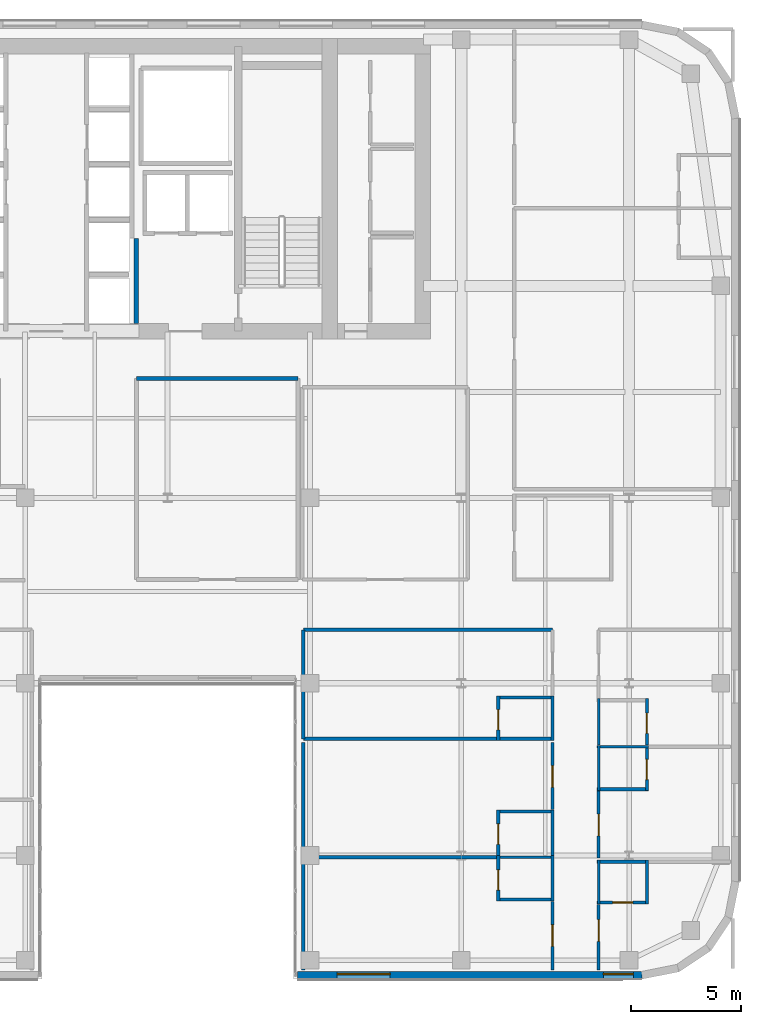
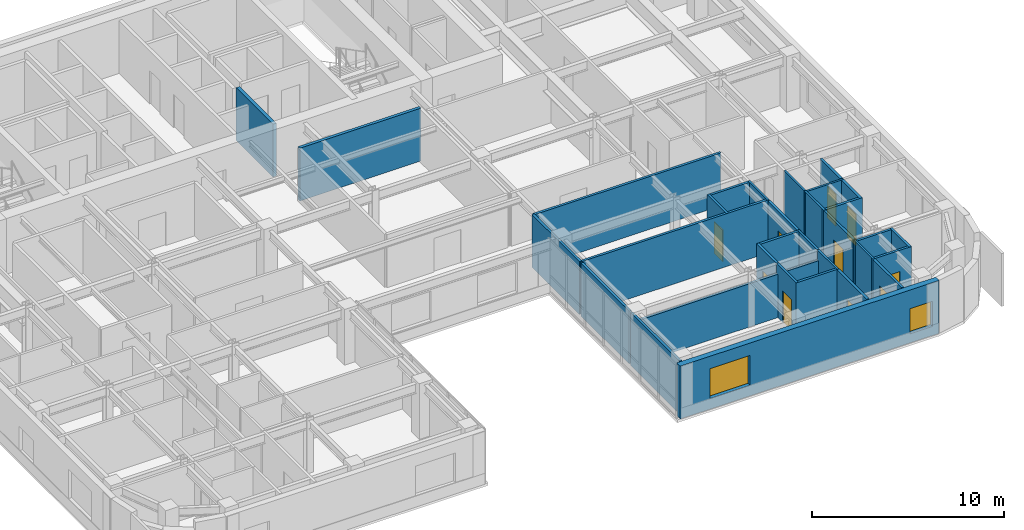
# One storey, part 11 of 20: 33 walls, 10 doors, 2 windows, 12 openings.
"""IFC4 building model written with IfcOpenShell, lengths in metres."""

from ifc_helpers import new_model, si_unit, direction, frame, frame_2d, origin, place, context, subcontext, project, spatial, rectangle, extrude, source, transform, mapped, material, layer, layer_set, type_object, type_shapes, element, fill, save


model = new_model("IFC4")

# Units and contexts
model_context = context("Model", 3, precision=1e-05, world=origin(), true_north=direction((0.0, 1.0)))
body_context = subcontext(model_context, "Body", "Model", "MODEL_VIEW")
ifc_project = project(units=[si_unit("LENGTHUNIT", "METRE"), si_unit("AREAUNIT", "SQUARE_METRE"), si_unit("VOLUMEUNIT", "CUBIC_METRE"), si_unit("PLANEANGLEUNIT", "RADIAN"), si_unit("MASSUNIT", "GRAM", prefix="KILO")], contexts=[model_context])

# Site, building, storey
site_placement = place(None, origin())
site = spatial("IfcSite", under=ifc_project, at=site_placement, CompositionType="ELEMENT")
building_placement = place(site_placement, origin())
building = spatial("IfcBuilding", under=site, at=building_placement, Name="Tolvann Quenvar Hotel", CompositionType="ELEMENT")
storey_placement = place(building_placement, frame((0.0, 0.0, 175.449951171875)))
storey = spatial("IfcBuildingStorey", under=building, at=storey_placement, Name="L46", CompositionType="ELEMENT", Elevation=175.449951171875)

# Wall, openings, windows
ifc_material_1 = material(Name="Kiln-fired red and buff architectural clay brickwork and terracotta masonry", Category="masonry")
ifc_layer_1 = layer(ifc_material_1, 0.35009765625)
ifc_layer_set_1 = layer_set([ifc_layer_1], Name="Kiln-fired red and buff architectural clay brickwork and terracotta masonry")
wall_type_1 = type_object("IfcWallType", Name="WALL_EXT_BRICK_350", PredefinedType="SOLIDWALL", material=ifc_layer_set_1)
wall_1_placement = place(storey_placement, frame((34.375, 2.77490234375, 0.0), z_axis=(0.0, 0.0, 1.0), x_axis=(1.0, 0.0, 0.0)))
wall_1 = element("IfcWall", 1, at=wall_1_placement, inside=storey, type_object=wall_type_1, Name="Exterior Chicago Brick Wall L46-E08", PredefinedType="SOLIDWALL", context=body_context, shape_type="SweptSolid", body=[
    extrude(rectangle(XDim=15.60791015625, YDim=0.35009765625, at=frame_2d((7.803955078125, 0.0))), origin(), (0.0, 0.0, 1.0), 3.3701171875),
])
opening_1_placement = place(wall_1_placement, frame((1.801025390625, 0.0, 0.679931640625)))
opening_1 = element("IfcOpeningElement", 2, at=opening_1_placement, cuts=wall_1, Name="Opening W-01", PredefinedType="OPENING", context=body_context, shape_type="SweptSolid", body=[
    extrude(rectangle(XDim=2.39990234375, YDim=1.89990234375, at=frame_2d((1.199951171875, 0.949951171875))), frame((0.0, 0.18505859375, 0.0), z_axis=(0.0, -1.0, 0.0), x_axis=(1.0, 0.0, 0.0)), (0.0, 0.0, 1.0), 0.3701171875),
])
opening_2_placement = place(wall_1_placement, frame((13.865966796875, 0.0, 0.580078125)))
opening_2 = element("IfcOpeningElement", 3, at=opening_2_placement, cuts=wall_1, Name="Opening W-11", PredefinedType="OPENING", context=body_context, shape_type="SweptSolid", body=[
    extrude(rectangle(XDim=1.35009765625, YDim=1.60009765625, at=frame_2d((0.675048828125, 0.800048828125))), frame((0.0, 0.18505859375, 0.0), z_axis=(0.0, -1.0, 0.0), x_axis=(1.0, 0.0, 0.0)), (0.0, 0.0, 1.0), 0.3701171875),
])
ifc_material_2 = material(Name="Thermally broken bronze-anodised aluminium frame with double low-E glazing", Category="aluminium")
window_type_1 = type_object("IfcWindowType", Name="WIN_CHI_2400x2050", PartitioningType="TRIPLE_PANEL_HORIZONTAL", PredefinedType="WINDOW", material=ifc_material_2)
shared_shape_1 = source(origin(), body_context, "Body", "SweptSolid", [
    extrude(rectangle(XDim=2.39990234375, YDim=1.89990234375, at=frame_2d((1.199951171875, 0.949951171875))), frame((0.0, 0.090087890625, 0.0), z_axis=(0.0, -1.0, 0.0), x_axis=(1.0, 0.0, 0.0)), (0.0, 0.0, 1.0), 0.06005859375),
])
type_shapes(window_type_1, [shared_shape_1])
window_1_placement = place(opening_1_placement, origin())
window_1 = element("IfcWindow", 4, at=window_1_placement, inside=storey, type_object=window_type_1, Name="Chicago Window W-01 (EW-L46-E08-W01)", OverallHeight=1.89990234375, OverallWidth=2.39990234375, PartitioningType="TRIPLE_PANEL_HORIZONTAL", PredefinedType="WINDOW", context=body_context, shape_type="MappedRepresentation", body=[
    mapped(shared_shape_1, transform((0.0, 0.0, 0.0), x_axis=(1.0, 0.0, 0.0), y_axis=(0.0, 1.0, 0.0), z_axis=(0.0, 0.0, 1.0), scale=1.0)),
])
fill(opening_1, window_1)
window_type_2 = type_object("IfcWindowType", Name="WIN_ACC_1350x1650", PartitioningType="SINGLE_PANEL", PredefinedType="WINDOW", material=ifc_material_2)
shared_shape_2 = source(origin(), body_context, "Body", "SweptSolid", [
    extrude(rectangle(XDim=1.35009765625, YDim=1.60009765625, at=frame_2d((0.675048828125, 0.800048828125))), frame((0.0, 0.090087890625, 0.0), z_axis=(0.0, -1.0, 0.0), x_axis=(1.0, 0.0, 0.0)), (0.0, 0.0, 1.0), 0.06005859375),
])
type_shapes(window_type_2, [shared_shape_2])
window_2_placement = place(opening_2_placement, origin())
window_2 = element("IfcWindow", 5, at=window_2_placement, inside=storey, type_object=window_type_2, Name="Chicago Window W-11 (EW-L46-E08-WD02)", OverallHeight=1.60009765625, OverallWidth=1.35009765625, PartitioningType="SINGLE_PANEL", PredefinedType="WINDOW", context=body_context, shape_type="MappedRepresentation", body=[
    mapped(shared_shape_2, transform((0.0, 0.0, 0.0), x_axis=(1.0, 0.0, 0.0), y_axis=(0.0, 1.0, 0.0), z_axis=(0.0, 0.0, 1.0), scale=1.0)),
])
fill(opening_2, window_2)

# Walls
ifc_material_3 = material(Name="Acoustic twin-stud fire-rated gypsum plasterboard partition")
ifc_layer_2 = layer(ifc_material_3, 0.179931640625)
ifc_layer_set_2 = layer_set([ifc_layer_2], Name="Acoustic twin-stud fire-rated gypsum plasterboard partition")
wall_type_2 = type_object("IfcWallType", Name="WALL_PART_ACOUSTIC_180", PredefinedType="PARTITIONING", material=ifc_layer_set_2)
wall_2_placement = place(storey_placement, frame((27.10009765625, 29.800048828125, 0.0), z_axis=(0.0, 0.0, 1.0), x_axis=(1.0, 0.0, 0.0)))
element("IfcWall", 6, at=wall_2_placement, inside=storey, type_object=wall_type_2, Name="Interior Partition PT-SPC-L46-MSP-C-N", PredefinedType="PARTITIONING", context=body_context, shape_type="SweptSolid", body=[
    extrude(rectangle(XDim=7.2998046875, YDim=0.179931640625, at=frame_2d((3.64990234375, 0.0))), origin(), (0.0, 0.0, 1.0), 3.3701171875),
])
ifc_material_4 = material(Name="Moisture-resistant acoustic plumbing wall assembly")
ifc_layer_3 = layer(ifc_material_4, 0.1201171875)
ifc_layer_set_3 = layer_set([ifc_layer_3], Name="Moisture-resistant acoustic plumbing wall assembly")
wall_type_3 = type_object("IfcWallType", Name="WALL_PART_BATH_120", PredefinedType="PLUMBINGWALL", material=ifc_layer_set_3)
wall_3_placement = place(storey_placement, frame((43.409912109375, 8.1201171875, 0.0), z_axis=(0.0, 0.0, 1.0), x_axis=(1.0, 0.0, 0.0)))
element("IfcWall", 7, at=wall_3_placement, inside=storey, type_object=wall_type_3, Name="Non-Rated Plumbing Partition PT-SPC-L46-ENS-EI01-N", PredefinedType="PLUMBINGWALL", context=body_context, shape_type="SweptSolid", body=[
    extrude(rectangle(XDim=2.590087890625, YDim=0.1201171875, at=frame_2d((1.294921875, 0.0))), origin(), (0.0, 0.0, 1.0), 2.758056640625),
])
for number, where, z_axis, x_axis, name in (
    (8, (45.929931640625, 6.135009765625, 0.0), (0.0, 0.0, 1.0), (0.0, 1.0, 0.0), "Non-Rated Plumbing Partition PT-SPC-L46-ENS-EI01-E"),
    (9, (45.929931640625, 8.2099609375, 0.0), (0.0, 0.0, 1.0), (0.0, 1.0, 0.0), "Non-Rated Plumbing Partition PT-SPC-L46-ENS-EI02-E"),
):
    element("IfcWall", number, at=place(storey_placement, frame(where, z_axis=z_axis, x_axis=x_axis)), inside=storey, type_object=wall_type_3, Name=name, PredefinedType="PLUMBINGWALL", context=body_context, shape_type="SweptSolid", body=[
        extrude(rectangle(XDim=2.054931640625, YDim=0.1201171875, at=frame_2d((1.02734375, 0.0))), origin(), (0.0, 0.0, 1.0), 3.3701171875),
    ])
wall_4_placement = place(storey_placement, frame((45.929931640625, 13.409912109375, 0.0), z_axis=(0.0, 0.0, 1.0), x_axis=(0.0, 1.0, 0.0)))
element("IfcWall", 10, at=wall_4_placement, inside=storey, type_object=wall_type_3, Name="Non-Rated Plumbing Partition PT-SPC-L46-ENS-EI03-E", PredefinedType="PLUMBINGWALL", context=body_context, shape_type="SweptSolid", body=[
    extrude(rectangle(XDim=2.01708984375, YDim=0.1201171875, at=frame_2d((1.008544921875, 0.0))), origin(), (0.0, 0.0, 1.0), 3.3701171875),
])
wall_5_placement = place(storey_placement, frame((48.02001953125, 6.0, 0.0), z_axis=(0.0, 0.0, 1.0), x_axis=(0.0, 1.0, 0.0)))
element("IfcWall", 11, at=wall_5_placement, inside=storey, type_object=wall_type_3, Name="Non-Rated Plumbing Partition PT-SPC-L46-ENS-EO01-W", PredefinedType="PLUMBINGWALL", context=body_context, shape_type="SweptSolid", body=[
    extrude(rectangle(XDim=1.989990234375, YDim=0.1201171875, at=frame_2d((0.9951171875, 0.0))), origin(), (0.0, 0.0, 1.0), 3.3701171875),
])
wall_6_placement = place(storey_placement, frame((47.949951171875, 13.1201171875, 0.0), z_axis=(0.0, 0.0, 1.0), x_axis=(1.0, 0.0, 0.0)))
element("IfcWall", 12, at=wall_6_placement, inside=storey, type_object=wall_type_3, Name="Non-Rated Plumbing Partition PT-SPC-L46-ENS-EO02-N", PredefinedType="PLUMBINGWALL", context=body_context, shape_type="SweptSolid", body=[
    extrude(rectangle(XDim=2.3291015625, YDim=0.1201171875, at=frame_2d((1.16455078125, 0.0))), origin(), (0.0, 0.0, 1.0), 3.3701171875),
])
wall_7_placement = place(storey_placement, frame((48.02001953125, 11.135009765625, 0.0), z_axis=(0.0, 0.0, 1.0), x_axis=(0.0, 1.0, 0.0)))
element("IfcWall", 13, at=wall_7_placement, inside=storey, type_object=wall_type_3, Name="Non-Rated Plumbing Partition PT-SPC-L46-ENS-EO02-W", PredefinedType="PLUMBINGWALL", context=body_context, shape_type="SweptSolid", body=[
    extrude(rectangle(XDim=2.054931640625, YDim=0.1201171875, at=frame_2d((1.02734375, 0.0))), origin(), (0.0, 0.0, 1.0), 3.3701171875),
])
wall_8_placement = place(storey_placement, frame((48.02001953125, 13.2099609375, 0.0), z_axis=(0.0, 0.0, 1.0), x_axis=(0.0, 1.0, 0.0)))
element("IfcWall", 14, at=wall_8_placement, inside=storey, type_object=wall_type_3, Name="Non-Rated Plumbing Partition PT-SPC-L46-ENS-EO03-W", PredefinedType="PLUMBINGWALL", context=body_context, shape_type="SweptSolid", body=[
    extrude(rectangle(XDim=2.093017578125, YDim=0.1201171875, at=frame_2d((1.04638671875, 0.0))), origin(), (0.0, 0.0, 1.0), 3.3701171875),
])

# Wall, opening, door
ifc_layer_4 = layer(ifc_material_3, 0.14990234375)
ifc_layer_set_4 = layer_set([ifc_layer_4], Name="Acoustic twin-stud fire-rated gypsum plasterboard partition")
wall_type_4 = type_object("IfcWallType", Name="WALL_PART_SUITE_150", PredefinedType="PARTITIONING", material=ifc_layer_set_4)
wall_9_placement = place(storey_placement, frame((43.47998046875, 6.135009765625, 0.0), z_axis=(0.0, 0.0, 1.0), x_axis=(0.0, 1.0, 0.0)))
wall_9 = element("IfcWall", 15, at=wall_9_placement, inside=storey, type_object=wall_type_4, Name="Interior Partition PT-SPC-L46-ENS-EI01-ENT", PredefinedType="PARTITIONING", context=body_context, shape_type="SweptSolid", body=[
    extrude(rectangle(XDim=2.054931640625, YDim=0.14990234375, at=frame_2d((1.02734375, 0.0))), origin(), (0.0, 0.0, 1.0), 3.3701171875),
])
opening_3_placement = place(wall_9_placement, frame((0.49755859375, 0.0, 0.0)))
opening_3 = element("IfcOpeningElement", 16, at=opening_3_placement, cuts=wall_9, Name="Opening WD-01", PredefinedType="OPENING", context=body_context, shape_type="SweptSolid", body=[
    extrude(rectangle(XDim=0.919921875, YDim=2.010009765625, at=frame_2d((0.4599609375, 1.0048828125))), frame((0.0, 0.0849609375, 0.0), z_axis=(0.0, -1.0, 0.0), x_axis=(1.0, 0.0, 0.0)), (0.0, 0.0, 1.0), 0.169921875),
])
ifc_material_5 = material(Name="Solid-core American oak acoustic fire door leaf in steel frame", Category="steel")
door_type_1 = type_object("IfcDoorType", Name="DOOR_WC_920", OperationType="NOTDEFINED", PredefinedType="DOOR", material=ifc_material_5)
shared_shape_3 = source(origin(), body_context, "Body", "SweptSolid", [
    extrude(rectangle(XDim=0.919921875, YDim=2.010009765625, at=frame_2d((0.4599609375, 1.0048828125))), frame((0.0, 0.02490234375, 0.0), z_axis=(0.0, -1.0, 0.0), x_axis=(1.0, 0.0, 0.0)), (0.0, 0.0, 1.0), 0.050048828125),
])
type_shapes(door_type_1, [shared_shape_3])
door_1_placement = place(opening_3_placement, origin())
door_1 = element("IfcDoor", 17, at=door_1_placement, inside=storey, type_object=door_type_1, Name="Interior Door DOOR-SPC-L46-ENS-EI01", OperationType="SINGLE_SWING_RIGHT", OverallHeight=2.010009765625, OverallWidth=0.919921875, PredefinedType="DOOR", context=body_context, shape_type="MappedRepresentation", body=[
    mapped(shared_shape_3, transform((0.0, 0.0, 0.0), x_axis=(1.0, 0.0, 0.0), y_axis=(0.0, 1.0, 0.0), z_axis=(0.0, 0.0, 1.0), scale=1.0)),
])
fill(opening_3, door_1)

# Wall
wall_10_placement = place(storey_placement, frame((43.409912109375, 6.205078125, 0.0), z_axis=(0.0, 0.0, 1.0), x_axis=(1.0, 0.0, 0.0)))
element("IfcWall", 18, at=wall_10_placement, inside=storey, type_object=wall_type_4, Name="Interior Partition PT-SPC-L46-ENS-EI01-S", PredefinedType="PARTITIONING", context=body_context, shape_type="SweptSolid", body=[
    extrude(rectangle(XDim=2.590087890625, YDim=0.14990234375, at=frame_2d((1.294921875, 0.0))), origin(), (0.0, 0.0, 1.0), 3.3701171875),
])

# Wall, opening, door
wall_11_placement = place(storey_placement, frame((43.47998046875, 8.2099609375, 0.0), z_axis=(0.0, 0.0, 1.0), x_axis=(0.0, 1.0, 0.0)))
wall_11 = element("IfcWall", 19, at=wall_11_placement, inside=storey, type_object=wall_type_4, Name="Interior Partition PT-SPC-L46-ENS-EI02-ENT", PredefinedType="PARTITIONING", context=body_context, shape_type="SweptSolid", body=[
    extrude(rectangle(XDim=2.054931640625, YDim=0.14990234375, at=frame_2d((1.02734375, 0.0))), origin(), (0.0, 0.0, 1.0), 3.3701171875),
])
opening_4_placement = place(wall_11_placement, frame((0.49755859375, 0.0, 0.0)))
opening_4 = element("IfcOpeningElement", 20, at=opening_4_placement, cuts=wall_11, Name="Opening WD-01", PredefinedType="OPENING", context=body_context, shape_type="SweptSolid", body=[
    extrude(rectangle(XDim=0.919921875, YDim=2.010009765625, at=frame_2d((0.4599609375, 1.0048828125))), frame((0.0, 0.0849609375, 0.0), z_axis=(0.0, -1.0, 0.0), x_axis=(1.0, 0.0, 0.0)), (0.0, 0.0, 1.0), 0.169921875),
])
door_2_placement = place(opening_4_placement, origin())
door_2 = element("IfcDoor", 21, at=door_2_placement, inside=storey, type_object=door_type_1, Name="Interior Door DOOR-SPC-L46-ENS-EI02", OperationType="SINGLE_SWING_LEFT", OverallHeight=2.010009765625, OverallWidth=0.919921875, PredefinedType="DOOR", context=body_context, shape_type="MappedRepresentation", body=[
    mapped(shared_shape_3, transform((0.0, 0.0, 0.0), x_axis=(1.0, 0.0, 0.0), y_axis=(0.0, 1.0, 0.0), z_axis=(0.0, 0.0, 1.0), scale=1.0)),
])
fill(opening_4, door_2)

# Wall
wall_12_placement = place(storey_placement, frame((43.409912109375, 10.195068359375, 0.0), z_axis=(0.0, 0.0, 1.0), x_axis=(1.0, 0.0, 0.0)))
element("IfcWall", 22, at=wall_12_placement, inside=storey, type_object=wall_type_4, Name="Interior Partition PT-SPC-L46-ENS-EI02-N", PredefinedType="PARTITIONING", context=body_context, shape_type="SweptSolid", body=[
    extrude(rectangle(XDim=2.590087890625, YDim=0.14990234375, at=frame_2d((1.294921875, 0.0))), origin(), (0.0, 0.0, 1.0), 3.3701171875),
])

# Wall, opening, door
wall_13_placement = place(storey_placement, frame((43.47998046875, 13.409912109375, 0.0), z_axis=(0.0, 0.0, 1.0), x_axis=(0.0, 1.0, 0.0)))
wall_13 = element("IfcWall", 23, at=wall_13_placement, inside=storey, type_object=wall_type_4, Name="Interior Partition PT-SPC-L46-ENS-EI03-ENT", PredefinedType="PARTITIONING", context=body_context, shape_type="SweptSolid", body=[
    extrude(rectangle(XDim=2.01708984375, YDim=0.14990234375, at=frame_2d((1.008544921875, 0.0))), origin(), (0.0, 0.0, 1.0), 3.3701171875),
])
opening_5_placement = place(wall_13_placement, frame((0.478515625, 0.0, 0.0)))
opening_5 = element("IfcOpeningElement", 24, at=opening_5_placement, cuts=wall_13, Name="Opening WD-01", PredefinedType="OPENING", context=body_context, shape_type="SweptSolid", body=[
    extrude(rectangle(XDim=0.919921875, YDim=2.010009765625, at=frame_2d((0.4599609375, 1.0048828125))), frame((0.0, 0.0849609375, 0.0), z_axis=(0.0, -1.0, 0.0), x_axis=(1.0, 0.0, 0.0)), (0.0, 0.0, 1.0), 0.169921875),
])
door_3_placement = place(opening_5_placement, origin())
door_3 = element("IfcDoor", 25, at=door_3_placement, inside=storey, type_object=door_type_1, Name="Interior Door DOOR-SPC-L46-ENS-EI03", OperationType="SINGLE_SWING_RIGHT", OverallHeight=2.010009765625, OverallWidth=0.919921875, PredefinedType="DOOR", context=body_context, shape_type="MappedRepresentation", body=[
    mapped(shared_shape_3, transform((0.0, 0.0, 0.0), x_axis=(1.0, 0.0, 0.0), y_axis=(0.0, 1.0, 0.0), z_axis=(0.0, 0.0, 1.0), scale=1.0)),
])
fill(opening_5, door_3)

# Walls
wall_14_placement = place(storey_placement, frame((34.64990234375, 13.47998046875, 0.0), z_axis=(0.0, 0.0, 1.0), x_axis=(1.0, 0.0, 0.0)))
element("IfcWall", 26, at=wall_14_placement, inside=storey, type_object=wall_type_4, Name="Interior Partition PT-SPC-L46-ENS-EI03-S", PredefinedType="PARTITIONING", context=body_context, shape_type="SweptSolid", body=[
    extrude(rectangle(XDim=11.35009765625, YDim=0.14990234375, at=frame_2d((5.675048828125, 0.0))), origin(), (0.0, 0.0, 1.0), 3.3701171875),
])
wall_15_placement = place(storey_placement, frame((43.409912109375, 15.35693359375, 0.0), z_axis=(0.0, 0.0, 1.0), x_axis=(1.0, 0.0, 0.0)))
element("IfcWall", 27, at=wall_15_placement, inside=storey, type_object=wall_type_4, Name="Interior Partition PT-SPC-L46-ENS-EI03-N", PredefinedType="PARTITIONING", context=body_context, shape_type="SweptSolid", body=[
    extrude(rectangle(XDim=2.590087890625, YDim=0.14990234375, at=frame_2d((1.294921875, 0.0))), origin(), (0.0, 0.0, 1.0), 3.3701171875),
])
wall_16_placement = place(storey_placement, frame((50.208984375, 6.0, 0.0), z_axis=(0.0, 0.0, 1.0), x_axis=(0.0, 1.0, 0.0)))
element("IfcWall", 28, at=wall_16_placement, inside=storey, type_object=wall_type_4, Name="Interior Partition PT-SPC-L46-ENS-EO01-ENT", PredefinedType="PARTITIONING", context=body_context, shape_type="SweptSolid", body=[
    extrude(rectangle(XDim=1.989990234375, YDim=0.14990234375, at=frame_2d((0.9951171875, 0.0))), origin(), (0.0, 0.0, 1.0), 3.3701171875),
])

# Wall, opening, door
wall_17_placement = place(storey_placement, frame((47.949951171875, 6.070068359375, 0.0), z_axis=(0.0, 0.0, 1.0), x_axis=(1.0, 0.0, 0.0)))
wall_17 = element("IfcWall", 29, at=wall_17_placement, inside=storey, type_object=wall_type_4, Name="Interior Partition PT-SPC-L46-ENS-EO01-S", PredefinedType="PARTITIONING", context=body_context, shape_type="SweptSolid", body=[
    extrude(rectangle(XDim=2.3291015625, YDim=0.14990234375, at=frame_2d((1.16455078125, 0.0))), origin(), (0.0, 0.0, 1.0), 3.3701171875),
])
opening_6_placement = place(wall_17_placement, frame((0.70458984375, 0.0, 0.0)))
opening_6 = element("IfcOpeningElement", 30, at=opening_6_placement, cuts=wall_17, Name="Opening WD-01", PredefinedType="OPENING", context=body_context, shape_type="SweptSolid", body=[
    extrude(rectangle(XDim=0.919921875, YDim=2.010009765625, at=frame_2d((0.4599609375, 1.0048828125))), frame((0.0, 0.0849609375, 0.0), z_axis=(0.0, -1.0, 0.0), x_axis=(1.0, 0.0, 0.0)), (0.0, 0.0, 1.0), 0.169921875),
])
door_4_placement = place(opening_6_placement, origin())
door_4 = element("IfcDoor", 31, at=door_4_placement, inside=storey, type_object=door_type_1, Name="Interior Door DOOR-SPC-L46-ENS-EO01", OperationType="SINGLE_SWING_LEFT", OverallHeight=2.010009765625, OverallWidth=0.919921875, PredefinedType="DOOR", context=body_context, shape_type="MappedRepresentation", body=[
    mapped(shared_shape_3, transform((0.0, 0.0, 0.0), x_axis=(1.0, 0.0, 0.0), y_axis=(0.0, 1.0, 0.0), z_axis=(0.0, 0.0, 1.0), scale=1.0)),
])
fill(opening_6, door_4)

# Wall
wall_18_placement = place(storey_placement, frame((47.949951171875, 7.919921875, 0.0), z_axis=(0.0, 0.0, 1.0), x_axis=(1.0, 0.0, 0.0)))
element("IfcWall", 32, at=wall_18_placement, inside=storey, type_object=wall_type_4, Name="Interior Partition PT-SPC-L46-ENS-EO01-N", PredefinedType="PARTITIONING", context=body_context, shape_type="SweptSolid", body=[
    extrude(rectangle(XDim=2.3291015625, YDim=0.14990234375, at=frame_2d((1.16455078125, 0.0))), origin(), (0.0, 0.0, 1.0), 3.3701171875),
])

# Wall, opening, door
wall_19_placement = place(storey_placement, frame((50.208984375, 11.135009765625, 0.0), z_axis=(0.0, 0.0, 1.0), x_axis=(0.0, 1.0, 0.0)))
wall_19 = element("IfcWall", 33, at=wall_19_placement, inside=storey, type_object=wall_type_4, Name="Interior Partition PT-SPC-L46-ENS-EO02-ENT", PredefinedType="PARTITIONING", context=body_context, shape_type="SweptSolid", body=[
    extrude(rectangle(XDim=2.054931640625, YDim=0.14990234375, at=frame_2d((1.02734375, 0.0))), origin(), (0.0, 0.0, 1.0), 3.3701171875),
])
opening_7_placement = place(wall_19_placement, frame((0.49755859375, 0.0, 0.0)))
opening_7 = element("IfcOpeningElement", 34, at=opening_7_placement, cuts=wall_19, Name="Opening WD-01", PredefinedType="OPENING", context=body_context, shape_type="SweptSolid", body=[
    extrude(rectangle(XDim=0.919921875, YDim=2.010009765625, at=frame_2d((0.4599609375, 1.0048828125))), frame((0.0, 0.0849609375, 0.0), z_axis=(0.0, -1.0, 0.0), x_axis=(1.0, 0.0, 0.0)), (0.0, 0.0, 1.0), 0.169921875),
])
door_5_placement = place(opening_7_placement, origin())
door_5 = element("IfcDoor", 35, at=door_5_placement, inside=storey, type_object=door_type_1, Name="Interior Door DOOR-SPC-L46-ENS-EO02", OperationType="SINGLE_SWING_RIGHT", OverallHeight=2.010009765625, OverallWidth=0.919921875, PredefinedType="DOOR", context=body_context, shape_type="MappedRepresentation", body=[
    mapped(shared_shape_3, transform((0.0, 0.0, 0.0), x_axis=(1.0, 0.0, 0.0), y_axis=(0.0, 1.0, 0.0), z_axis=(0.0, 0.0, 1.0), scale=1.0)),
])
fill(opening_7, door_5)

# Wall
wall_20_placement = place(storey_placement, frame((47.949951171875, 11.205078125, 0.0), z_axis=(0.0, 0.0, 1.0), x_axis=(1.0, 0.0, 0.0)))
element("IfcWall", 36, at=wall_20_placement, inside=storey, type_object=wall_type_4, Name="Interior Partition PT-SPC-L46-ENS-EO02-S", PredefinedType="PARTITIONING", context=body_context, shape_type="SweptSolid", body=[
    extrude(rectangle(XDim=2.3291015625, YDim=0.14990234375, at=frame_2d((1.16455078125, 0.0))), origin(), (0.0, 0.0, 1.0), 3.3701171875),
])

# Wall, opening, door
wall_21_placement = place(storey_placement, frame((50.208984375, 13.2099609375, 0.0), z_axis=(0.0, 0.0, 1.0), x_axis=(0.0, 1.0, 0.0)))
wall_21 = element("IfcWall", 37, at=wall_21_placement, inside=storey, type_object=wall_type_4, Name="Interior Partition PT-SPC-L46-ENS-EO03-ENT", PredefinedType="PARTITIONING", context=body_context, shape_type="SweptSolid", body=[
    extrude(rectangle(XDim=2.093017578125, YDim=0.14990234375, at=frame_2d((1.04638671875, 0.0))), origin(), (0.0, 0.0, 1.0), 3.3701171875),
])
opening_8_placement = place(wall_21_placement, frame((0.5166015625, 0.0, 0.0)))
opening_8 = element("IfcOpeningElement", 38, at=opening_8_placement, cuts=wall_21, Name="Opening WD-01", PredefinedType="OPENING", context=body_context, shape_type="SweptSolid", body=[
    extrude(rectangle(XDim=0.919921875, YDim=2.010009765625, at=frame_2d((0.4599609375, 1.0048828125))), frame((0.0, 0.0849609375, 0.0), z_axis=(0.0, -1.0, 0.0), x_axis=(1.0, 0.0, 0.0)), (0.0, 0.0, 1.0), 0.169921875),
])
door_6_placement = place(opening_8_placement, origin())
door_6 = element("IfcDoor", 39, at=door_6_placement, inside=storey, type_object=door_type_1, Name="Interior Door DOOR-SPC-L46-ENS-EO03", OperationType="SINGLE_SWING_LEFT", OverallHeight=2.010009765625, OverallWidth=0.919921875, PredefinedType="DOOR", context=body_context, shape_type="MappedRepresentation", body=[
    mapped(shared_shape_3, transform((0.0, 0.0, 0.0), x_axis=(1.0, 0.0, 0.0), y_axis=(0.0, 1.0, 0.0), z_axis=(0.0, 0.0, 1.0), scale=1.0)),
])
fill(opening_8, door_6)

wall_22_placement = place(storey_placement, frame((45.929931640625, 3.0048828125, 0.0), z_axis=(0.0, 0.0, 1.0), x_axis=(0.0, 1.0, 0.0)))
wall_22 = element("IfcWall", 40, at=wall_22_placement, inside=storey, type_object=wall_type_4, Name="Interior Partition PT-SPC-L46-RM-EI01-ENT", PredefinedType="PARTITIONING", context=body_context, shape_type="SweptSolid", body=[
    extrude(rectangle(XDim=3.1201171875, YDim=0.14990234375, at=frame_2d((1.56005859375, 0.0))), origin(), (0.0, 0.0, 1.0), 3.3701171875),
])
opening_9_placement = place(wall_22_placement, frame((1.077392578125, 0.0, 0.0)))
opening_9 = element("IfcOpeningElement", 41, at=opening_9_placement, cuts=wall_22, Name="Opening SD-01", PredefinedType="OPENING", context=body_context, shape_type="SweptSolid", body=[
    extrude(rectangle(XDim=0.97998046875, YDim=2.1201171875, at=frame_2d((0.489990234375, 1.06005859375))), frame((0.0, 0.0849609375, 0.0), z_axis=(0.0, -1.0, 0.0), x_axis=(1.0, 0.0, 0.0)), (0.0, 0.0, 1.0), 0.169921875),
])
door_type_2 = type_object("IfcDoorType", Name="DOOR_SUITE_980", OperationType="NOTDEFINED", PredefinedType="DOOR", material=ifc_material_5)
shared_shape_4 = source(origin(), body_context, "Body", "SweptSolid", [
    extrude(rectangle(XDim=0.97998046875, YDim=2.1201171875, at=frame_2d((0.489990234375, 1.06005859375))), frame((0.0, 0.02490234375, 0.0), z_axis=(0.0, -1.0, 0.0), x_axis=(1.0, 0.0, 0.0)), (0.0, 0.0, 1.0), 0.050048828125),
])
type_shapes(door_type_2, [shared_shape_4])
door_7_placement = place(opening_9_placement, origin())
door_7 = element("IfcDoor", 42, at=door_7_placement, inside=storey, type_object=door_type_2, Name="Interior Door DOOR-SPC-L46-RM-EI01", OperationType="SINGLE_SWING_RIGHT", OverallHeight=2.1201171875, OverallWidth=0.97998046875, PredefinedType="DOOR", context=body_context, shape_type="MappedRepresentation", body=[
    mapped(shared_shape_4, transform((0.0, 0.0, 0.0), x_axis=(1.0, 0.0, 0.0), y_axis=(0.0, 1.0, 0.0), z_axis=(0.0, 0.0, 1.0), scale=1.0)),
])
fill(opening_9, door_7)

# Walls
wall_23_placement = place(storey_placement, frame((34.64990234375, 8.1201171875, 0.0), z_axis=(0.0, 0.0, 1.0), x_axis=(1.0, 0.0, 0.0)))
element("IfcWall", 43, at=wall_23_placement, inside=storey, type_object=wall_type_4, Name="Interior Partition PT-SPC-L46-RM-EI01-E5", PredefinedType="PARTITIONING", context=body_context, shape_type="SweptSolid", body=[
    extrude(rectangle(XDim=8.81005859375, YDim=0.14990234375, at=frame_2d((4.405029296875, 0.0))), origin(), (0.0, 0.0, 1.0), 2.758056640625),
])
wall_24_placement = place(storey_placement, frame((34.64990234375, 3.0048828125, 0.0), z_axis=(0.0, 0.0, 1.0), x_axis=(0.0, 1.0, 0.0)))
element("IfcWall", 44, at=wall_24_placement, inside=storey, type_object=wall_type_4, Name="Interior Partition PT-SPC-L46-RM-EI01-E6", PredefinedType="PARTITIONING", context=body_context, shape_type="SweptSolid", body=[
    extrude(rectangle(XDim=5.115234375, YDim=0.14990234375, at=frame_2d((2.5576171875, 0.0))), origin(), (0.0, 0.0, 1.0), 3.3701171875),
])

# Wall, opening, door
wall_25_placement = place(storey_placement, frame((45.929931640625, 10.27490234375, 0.0), z_axis=(0.0, 0.0, 1.0), x_axis=(0.0, 1.0, 0.0)))
wall_25 = element("IfcWall", 45, at=wall_25_placement, inside=storey, type_object=wall_type_4, Name="Interior Partition PT-SPC-L46-RM-EI02-ENT", PredefinedType="PARTITIONING", context=body_context, shape_type="SweptSolid", body=[
    extrude(rectangle(XDim=3.045166015625, YDim=0.14990234375, at=frame_2d((1.5224609375, 0.0))), origin(), (0.0, 0.0, 1.0), 3.3701171875),
])
opening_10_placement = place(wall_25_placement, frame((1.012451171875, 0.0, 0.0)))
opening_10 = element("IfcOpeningElement", 46, at=opening_10_placement, cuts=wall_25, Name="Opening SD-01", PredefinedType="OPENING", context=body_context, shape_type="SweptSolid", body=[
    extrude(rectangle(XDim=0.97998046875, YDim=2.1201171875, at=frame_2d((0.489990234375, 1.06005859375))), frame((0.0, 0.0849609375, 0.0), z_axis=(0.0, -1.0, 0.0), x_axis=(1.0, 0.0, 0.0)), (0.0, 0.0, 1.0), 0.169921875),
])
door_8_placement = place(opening_10_placement, origin())
door_8 = element("IfcDoor", 47, at=door_8_placement, inside=storey, type_object=door_type_2, Name="Interior Door DOOR-SPC-L46-RM-EI02", OperationType="SINGLE_SWING_LEFT", OverallHeight=2.1201171875, OverallWidth=0.97998046875, PredefinedType="DOOR", context=body_context, shape_type="MappedRepresentation", body=[
    mapped(shared_shape_4, transform((0.0, 0.0, 0.0), x_axis=(1.0, 0.0, 0.0), y_axis=(0.0, 1.0, 0.0), z_axis=(0.0, 0.0, 1.0), scale=1.0)),
])
fill(opening_10, door_8)

# Walls
wall_26_placement = place(storey_placement, frame((34.64990234375, 8.280029296875, 0.0), z_axis=(0.0, 0.0, 1.0), x_axis=(0.0, 1.0, 0.0)))
element("IfcWall", 48, at=wall_26_placement, inside=storey, type_object=wall_type_4, Name="Interior Partition PT-SPC-L46-RM-EI02-E6", PredefinedType="PARTITIONING", context=body_context, shape_type="SweptSolid", body=[
    extrude(rectangle(XDim=5.0400390625, YDim=0.14990234375, at=frame_2d((2.52001953125, 0.0))), origin(), (0.0, 0.0, 1.0), 3.3701171875),
])
wall_27_placement = place(storey_placement, frame((34.64990234375, 18.419921875, 0.0), z_axis=(0.0, 0.0, 1.0), x_axis=(1.0, 0.0, 0.0)))
element("IfcWall", 49, at=wall_27_placement, inside=storey, type_object=wall_type_4, Name="Interior Partition PT-SPC-L46-RM-EI03-E5", PredefinedType="PARTITIONING", context=body_context, shape_type="SweptSolid", body=[
    extrude(rectangle(XDim=11.280029296875, YDim=0.14990234375, at=frame_2d((5.64013671875, 0.0))), origin(), (0.0, 0.0, 1.0), 3.3701171875),
])
wall_28_placement = place(storey_placement, frame((34.64990234375, 13.47998046875, 0.0), z_axis=(0.0, 0.0, 1.0), x_axis=(0.0, 1.0, 0.0)))
element("IfcWall", 50, at=wall_28_placement, inside=storey, type_object=wall_type_4, Name="Interior Partition PT-SPC-L46-RM-EI03-E6", PredefinedType="PARTITIONING", context=body_context, shape_type="SweptSolid", body=[
    extrude(rectangle(XDim=4.93994140625, YDim=0.14990234375, at=frame_2d((2.469970703125, 0.0))), origin(), (0.0, 0.0, 1.0), 3.3701171875),
])

# Wall, opening, door
wall_29_placement = place(storey_placement, frame((48.02001953125, 3.0048828125, 0.0), z_axis=(0.0, 0.0, 1.0), x_axis=(0.0, 1.0, 0.0)))
wall_29 = element("IfcWall", 51, at=wall_29_placement, inside=storey, type_object=wall_type_4, Name="Interior Partition PT-SPC-L46-RM-EO01-ENT", PredefinedType="PARTITIONING", context=body_context, shape_type="SweptSolid", body=[
    extrude(rectangle(XDim=2.985107421875, YDim=0.14990234375, at=frame_2d((1.49267578125, 0.0))), origin(), (0.0, 0.0, 1.0), 3.3701171875),
])
opening_11_placement = place(wall_29_placement, frame((1.31005859375, 0.0, 0.0)))
opening_11 = element("IfcOpeningElement", 52, at=opening_11_placement, cuts=wall_29, Name="Opening SD-01", PredefinedType="OPENING", context=body_context, shape_type="SweptSolid", body=[
    extrude(rectangle(XDim=0.97998046875, YDim=2.1201171875, at=frame_2d((0.489990234375, 1.06005859375))), frame((0.0, 0.0849609375, 0.0), z_axis=(0.0, -1.0, 0.0), x_axis=(1.0, 0.0, 0.0)), (0.0, 0.0, 1.0), 0.169921875),
])
door_9_placement = place(opening_11_placement, origin())
door_9 = element("IfcDoor", 53, at=door_9_placement, inside=storey, type_object=door_type_2, Name="Interior Door DOOR-SPC-L46-RM-EO01", OperationType="SINGLE_SWING_LEFT", OverallHeight=2.1201171875, OverallWidth=0.97998046875, PredefinedType="DOOR", context=body_context, shape_type="MappedRepresentation", body=[
    mapped(shared_shape_4, transform((0.0, 0.0, 0.0), x_axis=(1.0, 0.0, 0.0), y_axis=(0.0, 1.0, 0.0), z_axis=(0.0, 0.0, 1.0), scale=1.0)),
])
fill(opening_11, door_9)

wall_30_placement = place(storey_placement, frame((48.02001953125, 8.080078125, 0.0), z_axis=(0.0, 0.0, 1.0), x_axis=(0.0, 1.0, 0.0)))
wall_30 = element("IfcWall", 54, at=wall_30_placement, inside=storey, type_object=wall_type_4, Name="Interior Partition PT-SPC-L46-RM-EO02-ENT", PredefinedType="PARTITIONING", context=body_context, shape_type="SweptSolid", body=[
    extrude(rectangle(XDim=3.044921875, YDim=0.14990234375, at=frame_2d((1.5224609375, 0.0))), origin(), (0.0, 0.0, 1.0), 3.3701171875),
])
opening_12_placement = place(wall_30_placement, frame((1.012451171875, 0.0, 0.0)))
opening_12 = element("IfcOpeningElement", 55, at=opening_12_placement, cuts=wall_30, Name="Opening SD-01", PredefinedType="OPENING", context=body_context, shape_type="SweptSolid", body=[
    extrude(rectangle(XDim=0.97998046875, YDim=2.1201171875, at=frame_2d((0.489990234375, 1.06005859375))), frame((0.0, 0.0849609375, 0.0), z_axis=(0.0, -1.0, 0.0), x_axis=(1.0, 0.0, 0.0)), (0.0, 0.0, 1.0), 0.169921875),
])
door_10_placement = place(opening_12_placement, origin())
door_10 = element("IfcDoor", 56, at=door_10_placement, inside=storey, type_object=door_type_2, Name="Interior Door DOOR-SPC-L46-RM-EO02", OperationType="SINGLE_SWING_RIGHT", OverallHeight=2.1201171875, OverallWidth=0.97998046875, PredefinedType="DOOR", context=body_context, shape_type="MappedRepresentation", body=[
    mapped(shared_shape_4, transform((0.0, 0.0, 0.0), x_axis=(1.0, 0.0, 0.0), y_axis=(0.0, 1.0, 0.0), z_axis=(0.0, 0.0, 1.0), scale=1.0)),
])
fill(opening_12, door_10)

# Wall
ifc_material_6 = material(Name="Concrete N40 (40 MPa)", Category="concrete")
ifc_layer_5 = layer(ifc_material_6, 0.199951171875)
ifc_layer_set_5 = layer_set([ifc_layer_5], Name="Concrete N40 (40 MPa)")
wall_type_5 = type_object("IfcWallType", Name="WALL_SHAFT_200", PredefinedType="SOLIDWALL", material=ifc_layer_set_5)
wall_31_placement = place(storey_placement, frame((27.080078125, 32.303955078125, 0.0), z_axis=(0.0, 0.0, 1.0), x_axis=(0.0, 1.0, 0.0)))
element("IfcWall", 57, at=wall_31_placement, inside=storey, type_object=wall_type_5, Name="Firefighting Lobby E Inner Fire Wall (L46)", PredefinedType="SOLIDWALL", context=body_context, shape_type="SweptSolid", body=[
    extrude(rectangle(XDim=3.845947265625, YDim=0.199951171875, at=frame_2d((1.9228515625, 0.0))), origin(), (0.0, 0.0, 1.0), 3.3701171875),
])

save(model, "model.ifc")
